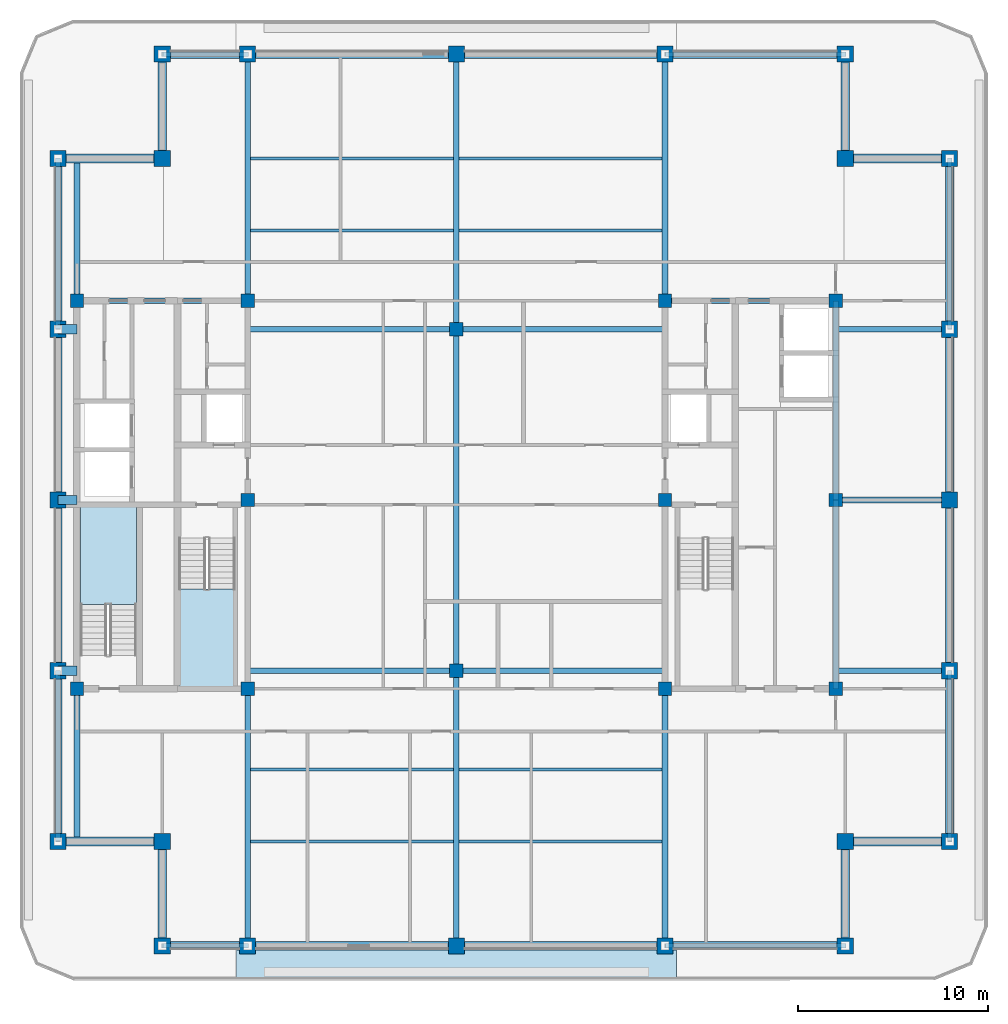
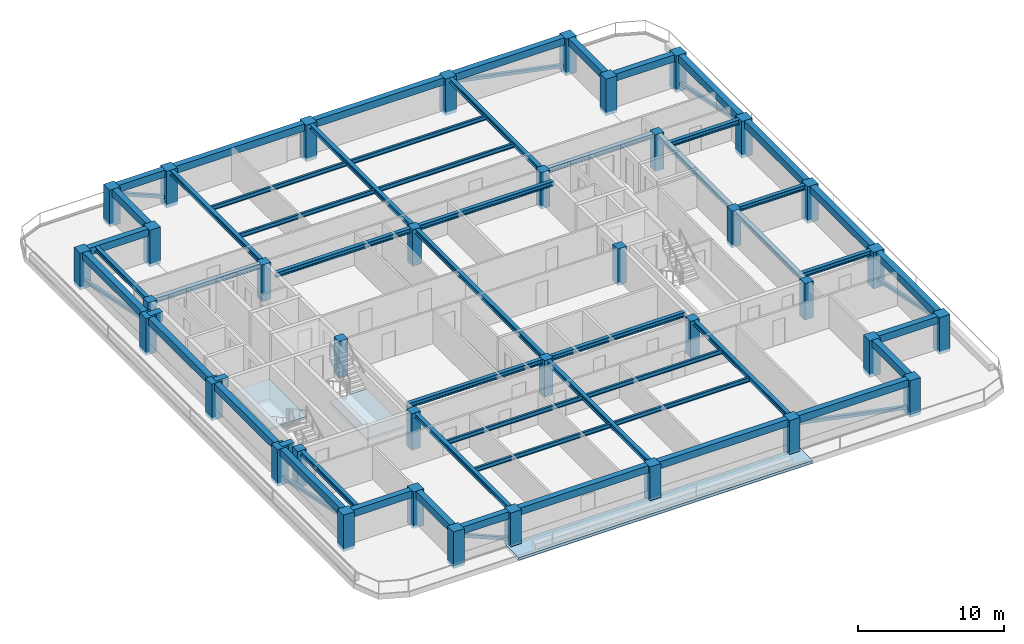
# One storey, part 1 of 10: 55 beams, 37 columns, 8 members, 3 slabs, 2 elements without a shape of their own.
"""IFC4 building model written with IfcOpenShell, lengths in metres."""

from ifc_helpers import new_model, si_unit, direction, frame, origin, origin_2d, place, context, subcontext, project, spatial, polyline, rectangle, hollow_rectangle, i_section, outline, extrude, material, layer, layer_set, material_profile, profile_set, type_object, element, aggregate, save


model = new_model("IFC4")

# Units and contexts
model_context = context("Model", 3, precision=1e-05, world=origin(), true_north=direction((0.0, 1.0)))
body_context = subcontext(model_context, "Body", "Model", "MODEL_VIEW")
ifc_project = project(units=[si_unit("LENGTHUNIT", "METRE"), si_unit("AREAUNIT", "SQUARE_METRE"), si_unit("VOLUMEUNIT", "CUBIC_METRE"), si_unit("PLANEANGLEUNIT", "RADIAN"), si_unit("MASSUNIT", "GRAM", prefix="KILO")], contexts=[model_context])

# Site, building, storey
site_placement = place(None, origin())
site = spatial("IfcSite", under=ifc_project, at=site_placement, CompositionType="ELEMENT")
building_placement = place(site_placement, origin())
building = spatial("IfcBuilding", under=site, at=building_placement, Name="Zulmaris Gate Convention Tower", CompositionType="ELEMENT")
storey_placement = place(building_placement, frame((0.0, 0.0, 246.199951171875)))
storey = spatial("IfcBuildingStorey", under=building, at=storey_placement, Name="L65", CompositionType="ELEMENT", Elevation=246.199951171875)

# Columns
ifc_material_1 = material(Name="Concrete C50/60", Category="concrete")
ifc_material_profile_1 = material_profile(ifc_material_1, rectangle(XDim=0.699951171875, YDim=0.699951171875, at=origin_2d()), Name="RC COL 700x700")
ifc_profile_set_1 = profile_set([ifc_material_profile_1], Name="Concrete C50/60")
column_type_1 = type_object("IfcColumnType", Name="COL-RC700", PredefinedType="COLUMN", material=ifc_profile_set_1)
for number, where, z_axis, x_axis, name in (
    (1, (-20.0, -9.949951171875, -0.25), (0.0, 0.0, 1.0), (1.0, 0.0, 0.0), "L65 Column IN--20.00_-9.95"),
    (2, (-20.0, 10.5, -0.25), (0.0, 0.0, 1.0), (1.0, 0.0, 0.0), "L65 Column IN--20.00_+10.50"),
    (3, (-11.0, -9.949951171875, -0.25), (0.0, 0.0, 1.0), (1.0, 0.0, 0.0), "L65 Column IN--11.00_-9.95"),
    (4, (-11.0, 0.0, -0.25), (0.0, 0.0, 1.0), (1.0, 0.0, 0.0), "L65 Column IN--11.00_+0.00"),
    (5, (-11.0, 10.5, -0.25), (0.0, 0.0, 1.0), (1.0, 0.0, 0.0), "L65 Column IN--11.00_+10.50"),
    (6, (11.0, -9.949951171875, -0.25), (0.0, 0.0, 1.0), (1.0, 0.0, 0.0), "L65 Column IN-+11.00_-9.95"),
    (7, (11.0, 0.0, -0.25), (0.0, 0.0, 1.0), (1.0, 0.0, 0.0), "L65 Column IN-+11.00_+0.00"),
    (8, (11.0, 10.5, -0.25), (0.0, 0.0, 1.0), (1.0, 0.0, 0.0), "L65 Column IN-+11.00_+10.50"),
    (9, (20.0, -9.949951171875, -0.25), (0.0, 0.0, 1.0), (1.0, 0.0, 0.0), "L65 Column IN-+20.00_-9.95"),
    (10, (20.0, 10.5, -0.25), (0.0, 0.0, 1.0), (1.0, 0.0, 0.0), "L65 Column IN-+20.00_+10.50"),
    (11, (0.0, -9.0, -0.25), (0.0, 0.0, 1.0), (1.0, 0.0, 0.0), "L65 Column IN-+0.00_-9.00"),
    (12, (0.0, 9.0, -0.25), (0.0, 0.0, 1.0), (1.0, 0.0, 0.0), "L65 Column IN-+0.00_+9.00"),
    (13, (20.0, 0.0, -0.25), (0.0, 0.0, 1.0), (1.0, 0.0, 0.0), "L65 Column IN-+20.00_+0.00"),
):
    element("IfcColumn", number, at=place(storey_placement, frame(where, z_axis=z_axis, x_axis=x_axis)), inside=storey, type_object=column_type_1, Name=name, PredefinedType="COLUMN", context=body_context, shape_type="SweptSolid", body=[
        extrude(rectangle(XDim=0.699951171875, YDim=0.699951171875, at=origin_2d()), origin(), (0.0, 0.0, 1.0), 3.054931640625),
    ])
ifc_material_2 = material(Name="Concrete C60/75", Category="concrete")
ifc_material_profile_2 = material_profile(ifc_material_2, rectangle(XDim=0.85009765625, YDim=0.85009765625, at=origin_2d()), Name="RC COL 850x850")
ifc_profile_set_2 = profile_set([ifc_material_profile_2], Name="Concrete C60/75")
column_type_2 = type_object("IfcColumnType", Name="COL-RC850", PredefinedType="COLUMN", material=ifc_profile_set_2)
for number, where, z_axis, x_axis, name in (
    (14, (-15.5, -23.5, -0.25), (0.0, 0.0, 1.0), (1.0, 0.0, 0.0), "L65 Column PT--15.50_-23.50"),
    (15, (-11.0, -23.5, -0.25), (0.0, 0.0, 1.0), (1.0, 0.0, 0.0), "L65 Column PT--11.00_-23.50"),
    (16, (0.0, -23.5, -0.25), (0.0, 0.0, 1.0), (1.0, 0.0, 0.0), "L65 Column PT-+0.00_-23.50"),
    (17, (11.0, -23.5, -0.25), (0.0, 0.0, 1.0), (1.0, 0.0, 0.0), "L65 Column PT-+11.00_-23.50"),
    (18, (20.5, -23.5, -0.25), (0.0, 0.0, 1.0), (1.0, 0.0, 0.0), "L65 Column PT-+20.50_-23.50"),
    (19, (-15.5, 23.5, -0.25), (0.0, 0.0, 1.0), (1.0, 0.0, 0.0), "L65 Column PT--15.50_+23.50"),
    (20, (-11.0, 23.5, -0.25), (0.0, 0.0, 1.0), (1.0, 0.0, 0.0), "L65 Column PT--11.00_+23.50"),
    (21, (0.0, 23.5, -0.25), (0.0, 0.0, 1.0), (1.0, 0.0, 0.0), "L65 Column PT-+0.00_+23.50"),
    (22, (11.0, 23.5, -0.25), (0.0, 0.0, 1.0), (1.0, 0.0, 0.0), "L65 Column PT-+11.00_+23.50"),
    (23, (20.5, 23.5, -0.25), (0.0, 0.0, 1.0), (1.0, 0.0, 0.0), "L65 Column PT-+20.50_+23.50"),
    (24, (-21.0, -18.0, -0.25), (0.0, 0.0, 1.0), (1.0, 0.0, 0.0), "L65 Column PT--21.00_-18.00"),
    (25, (-21.0, -9.0, -0.25), (0.0, 0.0, 1.0), (1.0, 0.0, 0.0), "L65 Column PT--21.00_-9.00"),
    (26, (-21.0, 0.0, -0.25), (0.0, 0.0, 1.0), (1.0, 0.0, 0.0), "L65 Column PT--21.00_+0.00"),
    (27, (-21.0, 9.0, -0.25), (0.0, 0.0, 1.0), (1.0, 0.0, 0.0), "L65 Column PT--21.00_+9.00"),
    (28, (-21.0, 18.0, -0.25), (0.0, 0.0, 1.0), (1.0, 0.0, 0.0), "L65 Column PT--21.00_+18.00"),
    (29, (26.0, -18.0, -0.25), (0.0, 0.0, 1.0), (1.0, 0.0, 0.0), "L65 Column PT-+26.00_-18.00"),
    (30, (26.0, -9.0, -0.25), (0.0, 0.0, 1.0), (1.0, 0.0, 0.0), "L65 Column PT-+26.00_-9.00"),
    (31, (26.0, 0.0, -0.25), (0.0, 0.0, 1.0), (1.0, 0.0, 0.0), "L65 Column PT-+26.00_+0.00"),
    (32, (26.0, 9.0, -0.25), (0.0, 0.0, 1.0), (1.0, 0.0, 0.0), "L65 Column PT-+26.00_+9.00"),
    (33, (26.0, 18.0, -0.25), (0.0, 0.0, 1.0), (1.0, 0.0, 0.0), "L65 Column PT-+26.00_+18.00"),
    (34, (-15.5, -18.0, -0.25), (0.0, 0.0, 1.0), (1.0, 0.0, 0.0), "L65 Column PT--15.50_-18.00"),
    (35, (20.5, -18.0, -0.25), (0.0, 0.0, 1.0), (1.0, 0.0, 0.0), "L65 Column PT-+20.50_-18.00"),
    (36, (20.5, 18.0, -0.25), (0.0, 0.0, 1.0), (1.0, 0.0, 0.0), "L65 Column PT-+20.50_+18.00"),
    (37, (-15.5, 18.0, -0.25), (0.0, 0.0, 1.0), (1.0, 0.0, 0.0), "L65 Column PT--15.50_+18.00"),
):
    element("IfcColumn", number, at=place(storey_placement, frame(where, z_axis=z_axis, x_axis=x_axis)), inside=storey, type_object=column_type_2, Name=name, PredefinedType="COLUMN", context=body_context, shape_type="SweptSolid", body=[
        extrude(rectangle(XDim=0.85009765625, YDim=0.85009765625, at=origin_2d()), origin(), (0.0, 0.0, 1.0), 3.054931640625),
    ])

# Beams
ifc_material_3 = material(Name="Steel S355", Category="steel")
ifc_material_profile_3 = material_profile(ifc_material_3, i_section(OverallWidth=0.300048828125, OverallDepth=0.39990234375, WebThickness=0.013427734375, FlangeThickness=0.02392578125, FilletRadius=0.027099609375, at=origin_2d()), Name="HEB 400")
ifc_profile_set_3 = profile_set([ifc_material_profile_3], Name="Steel S355")
beam_type_1 = type_object("IfcBeamType", Name="BM-HEB400", PredefinedType="BEAM", material=ifc_profile_set_3)
for number, where, z_axis, x_axis, name in (
    (38, (-11.0, -9.0, 2.60302734375), (1.0, 0.0, 0.0), (0.0, 1.0, 0.0), "L65 Beam BM-L65-G01"),
    (39, (0.0, -9.0, 2.60302734375), (1.0, 0.0, 0.0), (0.0, 1.0, 0.0), "L65 Beam BM-L65-G02"),
    (40, (-11.0, 9.0, 2.60302734375), (1.0, 0.0, 0.0), (0.0, 1.0, 0.0), "L65 Beam BM-L65-G03"),
    (41, (0.0, 9.0, 2.60302734375), (1.0, 0.0, 0.0), (0.0, 1.0, 0.0), "L65 Beam BM-L65-G04"),
):
    element("IfcBeam", number, at=place(storey_placement, frame(where, z_axis=z_axis, x_axis=x_axis)), inside=storey, type_object=beam_type_1, Name=name, PredefinedType="BEAM", context=body_context, shape_type="SweptSolid", body=[
        extrude(i_section(OverallWidth=0.300048828125, OverallDepth=0.39990234375, WebThickness=0.013427734375, FlangeThickness=0.02392578125, FilletRadius=0.027099609375, at=origin_2d()), origin(), (0.0, 0.0, 1.0), 11.0),
    ])
beam_1_placement = place(storey_placement, frame((0.0, -23.5, 2.60302734375), z_axis=(0.0, 1.0, 0.0), x_axis=(-1.0, 0.0, 0.0)))
element("IfcBeam", 42, at=beam_1_placement, inside=storey, type_object=beam_type_1, Name="L65 Beam BM-L65-G05", PredefinedType="BEAM", context=body_context, shape_type="SweptSolid", body=[
    extrude(i_section(OverallWidth=0.300048828125, OverallDepth=0.39990234375, WebThickness=0.013427734375, FlangeThickness=0.02392578125, FilletRadius=0.027099609375, at=origin_2d()), origin(), (0.0, 0.0, 1.0), 14.5),
])
beam_2_placement = place(storey_placement, frame((0.0, -9.0, 2.60302734375), z_axis=(0.0, 1.0, 0.0), x_axis=(-1.0, 0.0, 0.0)))
element("IfcBeam", 43, at=beam_2_placement, inside=storey, type_object=beam_type_1, Name="L65 Beam BM-L65-G06", PredefinedType="BEAM", context=body_context, shape_type="SweptSolid", body=[
    extrude(i_section(OverallWidth=0.300048828125, OverallDepth=0.39990234375, WebThickness=0.013427734375, FlangeThickness=0.02392578125, FilletRadius=0.027099609375, at=origin_2d()), origin(), (0.0, 0.0, 1.0), 18.0),
])
beam_3_placement = place(storey_placement, frame((0.0, 9.0, 2.60302734375), z_axis=(0.0, 1.0, 0.0), x_axis=(-1.0, 0.0, 0.0)))
element("IfcBeam", 44, at=beam_3_placement, inside=storey, type_object=beam_type_1, Name="L65 Beam BM-L65-G07", PredefinedType="BEAM", context=body_context, shape_type="SweptSolid", body=[
    extrude(i_section(OverallWidth=0.300048828125, OverallDepth=0.39990234375, WebThickness=0.013427734375, FlangeThickness=0.02392578125, FilletRadius=0.027099609375, at=origin_2d()), origin(), (0.0, 0.0, 1.0), 14.5),
])
beam_4_placement = place(storey_placement, frame((-11.0, -23.5, 2.60302734375), z_axis=(0.0, 1.0, 0.0), x_axis=(-1.0, 0.0, 0.0)))
element("IfcBeam", 45, at=beam_4_placement, inside=storey, type_object=beam_type_1, Name="L65 Beam BM-L65-G08", PredefinedType="BEAM", context=body_context, shape_type="SweptSolid", body=[
    extrude(i_section(OverallWidth=0.300048828125, OverallDepth=0.39990234375, WebThickness=0.013427734375, FlangeThickness=0.02392578125, FilletRadius=0.027099609375, at=origin_2d()), origin(), (0.0, 0.0, 1.0), 13.550048828125),
])
beam_5_placement = place(storey_placement, frame((-11.0, 10.5, 2.60302734375), z_axis=(0.0, 1.0, 0.0), x_axis=(-1.0, 0.0, 0.0)))
element("IfcBeam", 46, at=beam_5_placement, inside=storey, type_object=beam_type_1, Name="L65 Beam BM-L65-G09", PredefinedType="BEAM", context=body_context, shape_type="SweptSolid", body=[
    extrude(i_section(OverallWidth=0.300048828125, OverallDepth=0.39990234375, WebThickness=0.013427734375, FlangeThickness=0.02392578125, FilletRadius=0.027099609375, at=origin_2d()), origin(), (0.0, 0.0, 1.0), 13.0),
])
beam_6_placement = place(storey_placement, frame((11.0, -23.5, 2.60302734375), z_axis=(0.0, 1.0, 0.0), x_axis=(-1.0, 0.0, 0.0)))
element("IfcBeam", 47, at=beam_6_placement, inside=storey, type_object=beam_type_1, Name="L65 Beam BM-L65-G10", PredefinedType="BEAM", context=body_context, shape_type="SweptSolid", body=[
    extrude(i_section(OverallWidth=0.300048828125, OverallDepth=0.39990234375, WebThickness=0.013427734375, FlangeThickness=0.02392578125, FilletRadius=0.027099609375, at=origin_2d()), origin(), (0.0, 0.0, 1.0), 13.550048828125),
])
beam_7_placement = place(storey_placement, frame((11.0, 10.5, 2.60302734375), z_axis=(0.0, 1.0, 0.0), x_axis=(-1.0, 0.0, 0.0)))
element("IfcBeam", 48, at=beam_7_placement, inside=storey, type_object=beam_type_1, Name="L65 Beam BM-L65-G11", PredefinedType="BEAM", context=body_context, shape_type="SweptSolid", body=[
    extrude(i_section(OverallWidth=0.300048828125, OverallDepth=0.39990234375, WebThickness=0.013427734375, FlangeThickness=0.02392578125, FilletRadius=0.027099609375, at=origin_2d()), origin(), (0.0, 0.0, 1.0), 13.0),
])
beam_8_placement = place(storey_placement, frame((-20.0, -18.0, 2.60302734375), z_axis=(0.0, 1.0, 0.0), x_axis=(-1.0, 0.0, 0.0)))
element("IfcBeam", 49, at=beam_8_placement, inside=storey, type_object=beam_type_1, Name="L65 Beam BM-L65-G12", PredefinedType="BEAM", context=body_context, shape_type="SweptSolid", body=[
    extrude(i_section(OverallWidth=0.300048828125, OverallDepth=0.39990234375, WebThickness=0.013427734375, FlangeThickness=0.02392578125, FilletRadius=0.027099609375, at=origin_2d()), origin(), (0.0, 0.0, 1.0), 8.050048828125),
])
beam_9_placement = place(storey_placement, frame((-20.0, 10.5, 2.60302734375), z_axis=(0.0, 1.0, 0.0), x_axis=(-1.0, 0.0, 0.0)))
element("IfcBeam", 50, at=beam_9_placement, inside=storey, type_object=beam_type_1, Name="L65 Beam BM-L65-G13", PredefinedType="BEAM", context=body_context, shape_type="SweptSolid", body=[
    extrude(i_section(OverallWidth=0.300048828125, OverallDepth=0.39990234375, WebThickness=0.013427734375, FlangeThickness=0.02392578125, FilletRadius=0.027099609375, at=origin_2d()), origin(), (0.0, 0.0, 1.0), 7.5),
])
for number, where, z_axis, x_axis, name in (
    (51, (20.0, -9.0, 2.60302734375), (1.0, 0.0, 0.0), (0.0, 1.0, 0.0), "L65 Beam BM-L65-G19"),
    (52, (20.0, 0.0, 2.60302734375), (1.0, 0.0, 0.0), (0.0, 1.0, 0.0), "L65 Beam BM-L65-G20"),
    (53, (20.0, 9.0, 2.60302734375), (1.0, 0.0, 0.0), (0.0, 1.0, 0.0), "L65 Beam BM-L65-G21"),
):
    element("IfcBeam", number, at=place(storey_placement, frame(where, z_axis=z_axis, x_axis=x_axis)), inside=storey, type_object=beam_type_1, Name=name, PredefinedType="BEAM", context=body_context, shape_type="SweptSolid", body=[
        extrude(i_section(OverallWidth=0.300048828125, OverallDepth=0.39990234375, WebThickness=0.013427734375, FlangeThickness=0.02392578125, FilletRadius=0.027099609375, at=origin_2d()), origin(), (0.0, 0.0, 1.0), 6.0),
    ])
for number, where, z_axis, x_axis, name in (
    (54, (-20.0, 10.5, 2.60302734375), (1.0, 0.0, 0.0), (0.0, 1.0, 0.0), "L65 Beam BM-L65-G23"),
    (55, (11.0, 10.5, 2.60302734375), (1.0, 0.0, 0.0), (0.0, 1.0, 0.0), "L65 Beam BM-L65-G25"),
):
    element("IfcBeam", number, at=place(storey_placement, frame(where, z_axis=z_axis, x_axis=x_axis)), inside=storey, type_object=beam_type_1, Name=name, PredefinedType="BEAM", context=body_context, shape_type="SweptSolid", body=[
        extrude(i_section(OverallWidth=0.300048828125, OverallDepth=0.39990234375, WebThickness=0.013427734375, FlangeThickness=0.02392578125, FilletRadius=0.027099609375, at=origin_2d()), origin(), (0.0, 0.0, 1.0), 9.0),
    ])
beam_10_placement = place(storey_placement, frame((20.0, -9.949951171875, 2.60302734375), z_axis=(0.0, 1.0, 0.0), x_axis=(-1.0, 0.0, 0.0)))
element("IfcBeam", 56, at=beam_10_placement, inside=storey, type_object=beam_type_1, Name="L65 Beam BM-L65-G28", PredefinedType="BEAM", context=body_context, shape_type="SweptSolid", body=[
    extrude(i_section(OverallWidth=0.300048828125, OverallDepth=0.39990234375, WebThickness=0.013427734375, FlangeThickness=0.02392578125, FilletRadius=0.027099609375, at=origin_2d()), origin(), (0.0, 0.0, 1.0), 9.949951171875),
])
beam_11_placement = place(storey_placement, frame((20.0, 0.0, 2.60302734375), z_axis=(0.0, 1.0, 0.0), x_axis=(-1.0, 0.0, 0.0)))
element("IfcBeam", 57, at=beam_11_placement, inside=storey, type_object=beam_type_1, Name="L65 Beam BM-L65-G29", PredefinedType="BEAM", context=body_context, shape_type="SweptSolid", body=[
    extrude(i_section(OverallWidth=0.300048828125, OverallDepth=0.39990234375, WebThickness=0.013427734375, FlangeThickness=0.02392578125, FilletRadius=0.027099609375, at=origin_2d()), origin(), (0.0, 0.0, 1.0), 10.5),
])
ifc_material_profile_4 = material_profile(ifc_material_1, rectangle(XDim=0.5, YDim=0.800048828125, at=origin_2d()), Name="RC BEAM 500x800")
ifc_profile_set_4 = profile_set([ifc_material_profile_4], Name="Concrete C50/60")
beam_type_2 = type_object("IfcBeamType", Name="BM-RC500x800", PredefinedType="BEAM", material=ifc_profile_set_4)
for number, where, z_axis, x_axis, name in (
    (58, (-21.0, -9.0, 2.405029296875), (1.0, 0.0, 0.0), (0.0, 1.0, 0.0), "L65 Beam BM-L65-G16"),
    (59, (-21.0, 0.0, 2.405029296875), (1.0, 0.0, 0.0), (0.0, 1.0, 0.0), "L65 Beam BM-L65-G17"),
    (60, (-21.0, 9.0, 2.405029296875), (1.0, 0.0, 0.0), (0.0, 1.0, 0.0), "L65 Beam BM-L65-G18"),
):
    element("IfcBeam", number, at=place(storey_placement, frame(where, z_axis=z_axis, x_axis=x_axis)), inside=storey, type_object=beam_type_2, Name=name, PredefinedType="BEAM", context=body_context, shape_type="SweptSolid", body=[
        extrude(rectangle(XDim=0.5, YDim=0.800048828125, at=origin_2d()), origin(), (0.0, 0.0, 1.0), 1.0),
    ])
ifc_material_4 = material(Name="Precast concrete C50/60", Category="concrete")
ifc_material_profile_5 = material_profile(ifc_material_4, rectangle(XDim=0.449951171875, YDim=0.60009765625, at=origin_2d()), Name="RC SPANDREL 450x600")
ifc_profile_set_5 = profile_set([ifc_material_profile_5], Name="Precast concrete C50/60")
beam_type_3 = type_object("IfcBeamType", Name="BM-SP450x600", PredefinedType="SPANDREL", material=ifc_profile_set_5)
beam_12_placement = place(storey_placement, frame((-15.5, -23.5, 2.5048828125), z_axis=(1.0, 0.0, 0.0), x_axis=(0.0, 1.0, 0.0)))
element("IfcBeam", 61, at=beam_12_placement, inside=storey, type_object=beam_type_3, Name="L65 Spandrel SP-L65-01", PredefinedType="SPANDREL", context=body_context, shape_type="SweptSolid", body=[
    extrude(rectangle(XDim=0.449951171875, YDim=0.60009765625, at=origin_2d()), origin(), (0.0, 0.0, 1.0), 4.5),
])
for number, where, z_axis, x_axis, name in (
    (62, (-11.0, -23.5, 2.5048828125), (1.0, 0.0, 0.0), (0.0, 1.0, 0.0), "L65 Spandrel SP-L65-02"),
    (63, (0.0, -23.5, 2.5048828125), (1.0, 0.0, 0.0), (0.0, 1.0, 0.0), "L65 Spandrel SP-L65-03"),
):
    element("IfcBeam", number, at=place(storey_placement, frame(where, z_axis=z_axis, x_axis=x_axis)), inside=storey, type_object=beam_type_3, Name=name, PredefinedType="SPANDREL", context=body_context, shape_type="SweptSolid", body=[
        extrude(rectangle(XDim=0.449951171875, YDim=0.60009765625, at=origin_2d()), origin(), (0.0, 0.0, 1.0), 11.0),
    ])
beam_13_placement = place(storey_placement, frame((11.0, -23.5, 2.5048828125), z_axis=(1.0, 0.0, 0.0), x_axis=(0.0, 1.0, 0.0)))
element("IfcBeam", 64, at=beam_13_placement, inside=storey, type_object=beam_type_3, Name="L65 Spandrel SP-L65-04", PredefinedType="SPANDREL", context=body_context, shape_type="SweptSolid", body=[
    extrude(rectangle(XDim=0.449951171875, YDim=0.60009765625, at=origin_2d()), origin(), (0.0, 0.0, 1.0), 9.5),
])
for number, where, z_axis, x_axis, name in (
    (65, (20.5, -23.5, 2.5048828125), (0.0, 1.0, 0.0), (-1.0, 0.0, 0.0), "L65 Spandrel SP-L65-05"),
    (66, (20.5, -18.0, 2.5048828125), (1.0, 0.0, 0.0), (0.0, 1.0, 0.0), "L65 Spandrel SP-L65-06"),
):
    element("IfcBeam", number, at=place(storey_placement, frame(where, z_axis=z_axis, x_axis=x_axis)), inside=storey, type_object=beam_type_3, Name=name, PredefinedType="SPANDREL", context=body_context, shape_type="SweptSolid", body=[
        extrude(rectangle(XDim=0.449951171875, YDim=0.60009765625, at=origin_2d()), origin(), (0.0, 0.0, 1.0), 5.5),
    ])
for number, where, z_axis, x_axis, name in (
    (67, (26.0, -18.0, 2.5048828125), (0.0, 1.0, 0.0), (-1.0, 0.0, 0.0), "L65 Spandrel SP-L65-07"),
    (68, (26.0, -9.0, 2.5048828125), (0.0, 1.0, 0.0), (-1.0, 0.0, 0.0), "L65 Spandrel SP-L65-08"),
    (69, (26.0, 0.0, 2.5048828125), (0.0, 1.0, 0.0), (-1.0, 0.0, 0.0), "L65 Spandrel SP-L65-09"),
    (70, (26.0, 9.0, 2.5048828125), (0.0, 1.0, 0.0), (-1.0, 0.0, 0.0), "L65 Spandrel SP-L65-10"),
):
    element("IfcBeam", number, at=place(storey_placement, frame(where, z_axis=z_axis, x_axis=x_axis)), inside=storey, type_object=beam_type_3, Name=name, PredefinedType="SPANDREL", context=body_context, shape_type="SweptSolid", body=[
        extrude(rectangle(XDim=0.449951171875, YDim=0.60009765625, at=origin_2d()), origin(), (0.0, 0.0, 1.0), 9.0),
    ])
for number, where, z_axis, x_axis, name in (
    (71, (26.0, 18.0, 2.5048828125), (-1.0, 0.0, 0.0), (0.0, -1.0, 0.0), "L65 Spandrel SP-L65-11"),
    (72, (20.5, 18.0, 2.5048828125), (0.0, 1.0, 0.0), (-1.0, 0.0, 0.0), "L65 Spandrel SP-L65-12"),
):
    element("IfcBeam", number, at=place(storey_placement, frame(where, z_axis=z_axis, x_axis=x_axis)), inside=storey, type_object=beam_type_3, Name=name, PredefinedType="SPANDREL", context=body_context, shape_type="SweptSolid", body=[
        extrude(rectangle(XDim=0.449951171875, YDim=0.60009765625, at=origin_2d()), origin(), (0.0, 0.0, 1.0), 5.5),
    ])
beam_14_placement = place(storey_placement, frame((20.5, 23.5, 2.5048828125), z_axis=(-1.0, 0.0, 0.0), x_axis=(0.0, -1.0, 0.0)))
element("IfcBeam", 73, at=beam_14_placement, inside=storey, type_object=beam_type_3, Name="L65 Spandrel SP-L65-13", PredefinedType="SPANDREL", context=body_context, shape_type="SweptSolid", body=[
    extrude(rectangle(XDim=0.449951171875, YDim=0.60009765625, at=origin_2d()), origin(), (0.0, 0.0, 1.0), 9.5),
])
for number, where, z_axis, x_axis, name in (
    (74, (11.0, 23.5, 2.5048828125), (-1.0, 0.0, 0.0), (0.0, -1.0, 0.0), "L65 Spandrel SP-L65-14"),
    (75, (0.0, 23.5, 2.5048828125), (-1.0, 0.0, 0.0), (0.0, -1.0, 0.0), "L65 Spandrel SP-L65-15"),
):
    element("IfcBeam", number, at=place(storey_placement, frame(where, z_axis=z_axis, x_axis=x_axis)), inside=storey, type_object=beam_type_3, Name=name, PredefinedType="SPANDREL", context=body_context, shape_type="SweptSolid", body=[
        extrude(rectangle(XDim=0.449951171875, YDim=0.60009765625, at=origin_2d()), origin(), (0.0, 0.0, 1.0), 11.0),
    ])
beam_15_placement = place(storey_placement, frame((-11.0, 23.5, 2.5048828125), z_axis=(-1.0, 0.0, 0.0), x_axis=(0.0, -1.0, 0.0)))
element("IfcBeam", 76, at=beam_15_placement, inside=storey, type_object=beam_type_3, Name="L65 Spandrel SP-L65-16", PredefinedType="SPANDREL", context=body_context, shape_type="SweptSolid", body=[
    extrude(rectangle(XDim=0.449951171875, YDim=0.60009765625, at=origin_2d()), origin(), (0.0, 0.0, 1.0), 4.5),
])
for number, where, z_axis, x_axis, name in (
    (77, (-15.5, 23.5, 2.5048828125), (0.0, -1.0, 0.0), (1.0, 0.0, 0.0), "L65 Spandrel SP-L65-17"),
    (78, (-15.5, 18.0, 2.5048828125), (-1.0, 0.0, 0.0), (0.0, -1.0, 0.0), "L65 Spandrel SP-L65-18"),
):
    element("IfcBeam", number, at=place(storey_placement, frame(where, z_axis=z_axis, x_axis=x_axis)), inside=storey, type_object=beam_type_3, Name=name, PredefinedType="SPANDREL", context=body_context, shape_type="SweptSolid", body=[
        extrude(rectangle(XDim=0.449951171875, YDim=0.60009765625, at=origin_2d()), origin(), (0.0, 0.0, 1.0), 5.5),
    ])
for number, where, z_axis, x_axis, name in (
    (79, (-21.0, 18.0, 2.5048828125), (0.0, -1.0, 0.0), (1.0, 0.0, 0.0), "L65 Spandrel SP-L65-19"),
    (80, (-21.0, 9.0, 2.5048828125), (0.0, -1.0, 0.0), (1.0, 0.0, 0.0), "L65 Spandrel SP-L65-20"),
    (81, (-21.0, 0.0, 2.5048828125), (0.0, -1.0, 0.0), (1.0, 0.0, 0.0), "L65 Spandrel SP-L65-21"),
    (82, (-21.0, -9.0, 2.5048828125), (0.0, -1.0, 0.0), (1.0, 0.0, 0.0), "L65 Spandrel SP-L65-22"),
):
    element("IfcBeam", number, at=place(storey_placement, frame(where, z_axis=z_axis, x_axis=x_axis)), inside=storey, type_object=beam_type_3, Name=name, PredefinedType="SPANDREL", context=body_context, shape_type="SweptSolid", body=[
        extrude(rectangle(XDim=0.449951171875, YDim=0.60009765625, at=origin_2d()), origin(), (0.0, 0.0, 1.0), 9.0),
    ])
for number, where, z_axis, x_axis, name in (
    (83, (-21.0, -18.0, 2.5048828125), (1.0, 0.0, 0.0), (0.0, 1.0, 0.0), "L65 Spandrel SP-L65-23"),
    (84, (-15.5, -18.0, 2.5048828125), (0.0, -1.0, 0.0), (1.0, 0.0, 0.0), "L65 Spandrel SP-L65-24"),
):
    element("IfcBeam", number, at=place(storey_placement, frame(where, z_axis=z_axis, x_axis=x_axis)), inside=storey, type_object=beam_type_3, Name=name, PredefinedType="SPANDREL", context=body_context, shape_type="SweptSolid", body=[
        extrude(rectangle(XDim=0.449951171875, YDim=0.60009765625, at=origin_2d()), origin(), (0.0, 0.0, 1.0), 5.5),
    ])

# Members
ifc_material_profile_6 = material_profile(ifc_material_3, hollow_rectangle(XDim=0.25, YDim=0.25, WallThickness=0.012451171875, at=origin_2d()), Name="SHS 250x250x12.5")
ifc_profile_set_6 = profile_set([ifc_material_profile_6], Name="Steel S355")
member_type = type_object("IfcMemberType", Name="BR-SHS250", PredefinedType="BRACE", material=ifc_profile_set_6)
for number, where, z_axis, x_axis, name in (
    (85, (-21.0, -9.0, 0.300048828125), (0.0, -0.978762510891, 0.204997432362), (1.0, 0.0, 0.0), "L65 Perimeter Tube Diagonal SW-W"),
    (86, (-21.0, 18.0, 0.300048828125), (0.0, -0.978762510891, 0.204997432362), (1.0, 0.0, 0.0), "L65 Perimeter Tube Diagonal NW-W"),
    (87, (26.0, -9.0, 0.300048828125), (0.0, -0.978762510891, 0.204997432362), (1.0, 0.0, 0.0), "L65 Perimeter Tube Diagonal SE-E"),
    (88, (26.0, 18.0, 0.300048828125), (0.0, -0.978762510891, 0.204997432362), (1.0, 0.0, 0.0), "L65 Perimeter Tube Diagonal NE-E"),
):
    element("IfcMember", number, at=place(storey_placement, frame(where, z_axis=z_axis, x_axis=x_axis)), inside=storey, type_object=member_type, Name=name, PredefinedType="BRACE", context=body_context, shape_type="SweptSolid", body=[
        extrude(hollow_rectangle(XDim=0.25, YDim=0.25, WallThickness=0.012451171875, at=origin_2d()), origin(), (0.0, 0.0, 1.0), 9.1953125),
    ])
member_1_placement = place(storey_placement, frame((-11.0, -23.5, 0.300048828125), z_axis=(-0.922346867235, 0.0, 0.386362856007), x_axis=(0.0, -1.0, 0.0)))
element("IfcMember", 89, at=member_1_placement, inside=storey, type_object=member_type, Name="L65 Perimeter Tube Diagonal SW-S", PredefinedType="BRACE", context=body_context, shape_type="SweptSolid", body=[
    extrude(hollow_rectangle(XDim=0.25, YDim=0.25, WallThickness=0.012451171875, at=origin_2d()), origin(), (0.0, 0.0, 1.0), 4.87890625),
])
member_2_placement = place(storey_placement, frame((20.5, -23.5, 0.300048828125), z_axis=(-0.980877189664, 0.0, 0.194627692779), x_axis=(0.0, -1.0, 0.0)))
element("IfcMember", 90, at=member_2_placement, inside=storey, type_object=member_type, Name="L65 Perimeter Tube Diagonal SE-S", PredefinedType="BRACE", context=body_context, shape_type="SweptSolid", body=[
    extrude(hollow_rectangle(XDim=0.25, YDim=0.25, WallThickness=0.012451171875, at=origin_2d()), origin(), (0.0, 0.0, 1.0), 9.685302734375),
])
member_3_placement = place(storey_placement, frame((-11.0, 23.5, 0.300048828125), z_axis=(-0.922346867235, 0.0, 0.386362856007), x_axis=(0.0, -1.0, 0.0)))
element("IfcMember", 91, at=member_3_placement, inside=storey, type_object=member_type, Name="L65 Perimeter Tube Diagonal NW-N", PredefinedType="BRACE", context=body_context, shape_type="SweptSolid", body=[
    extrude(hollow_rectangle(XDim=0.25, YDim=0.25, WallThickness=0.012451171875, at=origin_2d()), origin(), (0.0, 0.0, 1.0), 4.87890625),
])
member_4_placement = place(storey_placement, frame((20.5, 23.5, 0.300048828125), z_axis=(-0.980877189664, 0.0, 0.194627692779), x_axis=(0.0, -1.0, 0.0)))
element("IfcMember", 92, at=member_4_placement, inside=storey, type_object=member_type, Name="L65 Perimeter Tube Diagonal NE-N", PredefinedType="BRACE", context=body_context, shape_type="SweptSolid", body=[
    extrude(hollow_rectangle(XDim=0.25, YDim=0.25, WallThickness=0.012451171875, at=origin_2d()), origin(), (0.0, 0.0, 1.0), 9.685302734375),
])

# Beams
ifc_material_profile_7 = material_profile(ifc_material_3, i_section(OverallWidth=0.169921875, OverallDepth=0.360107421875, WebThickness=0.008056640625, FlangeThickness=0.0126953125, FilletRadius=0.01806640625, at=origin_2d()), Name="IPE 360")
ifc_profile_set_7 = profile_set([ifc_material_profile_7], Name="Steel S355")
beam_type_4 = type_object("IfcBeamType", Name="JT-IPE360", PredefinedType="JOIST", material=ifc_profile_set_7)
for number, where, z_axis, x_axis, name in (
    (93, (-10.85009765625, -18.0, 2.623046875), (1.0, 0.0, 0.0), (0.0, 1.0, 0.0), "L65 Joist JT-L65-CW--18.0"),
    (94, (0.14990234375, -18.0, 2.623046875), (1.0, 0.0, 0.0), (0.0, 1.0, 0.0), "L65 Joist JT-L65-CE--18.0"),
    (95, (-10.85009765625, -14.199951171875, 2.623046875), (1.0, 0.0, 0.0), (0.0, 1.0, 0.0), "L65 Joist JT-L65-CW--14.2"),
    (96, (0.14990234375, -14.199951171875, 2.623046875), (1.0, 0.0, 0.0), (0.0, 1.0, 0.0), "L65 Joist JT-L65-CE--14.2"),
    (97, (-10.85009765625, 14.199951171875, 2.623046875), (1.0, 0.0, 0.0), (0.0, 1.0, 0.0), "L65 Joist JT-L65-CW-+14.2"),
    (98, (0.14990234375, 14.199951171875, 2.623046875), (1.0, 0.0, 0.0), (0.0, 1.0, 0.0), "L65 Joist JT-L65-CE-+14.2"),
    (99, (-10.85009765625, 18.0, 2.623046875), (1.0, 0.0, 0.0), (0.0, 1.0, 0.0), "L65 Joist JT-L65-CW-+18.0"),
    (100, (0.14990234375, 18.0, 2.623046875), (1.0, 0.0, 0.0), (0.0, 1.0, 0.0), "L65 Joist JT-L65-CE-+18.0"),
):
    element("IfcBeam", number, at=place(storey_placement, frame(where, z_axis=z_axis, x_axis=x_axis)), inside=storey, type_object=beam_type_4, Name=name, PredefinedType="JOIST", context=body_context, shape_type="SweptSolid", body=[
        extrude(i_section(OverallWidth=0.169921875, OverallDepth=0.360107421875, WebThickness=0.008056640625, FlangeThickness=0.0126953125, FilletRadius=0.01806640625, at=origin_2d()), origin(), (0.0, 0.0, 1.0), 10.7001953125),
    ])

# Slab
ifc_layer_1 = layer(ifc_material_4, 0.239990234375, Name="Precast concrete C50/60")
ifc_layer_set_1 = layer_set([ifc_layer_1], Name="Precast concrete C50/60")
slab_type_1 = type_object("IfcSlabType", Name="SL-BAL-240", PredefinedType="FLOOR", material=ifc_layer_set_1)
slab_1_placement = place(storey_placement, frame((0.0, 0.0, -0.25)))
element("IfcSlab", 101, at=slab_1_placement, inside=storey, type_object=slab_type_1, Name="L65 South Tree-Balcony Planter Slab", PredefinedType="FLOOR", context=body_context, shape_type="SweptSolid", body=[
    extrude(outline(polyline([(-11.597900390625, -25.300048828125), (-11.597900390625, -23.5), (11.597900390625, -23.5), (11.597900390625, -25.300048828125), (-11.597900390625, -25.300048828125)])), origin(), (0.0, 0.0, 1.0), 0.239990234375),
])

# Stair, slab
ifc_material_5 = material(Name="Concrete C45/55", Category="concrete")
stair_type = type_object("IfcStairType", Name="ST-CORE-DOGLEG", PredefinedType="HALF_TURN_STAIR", material=ifc_material_5)
stair_1_placement = place(storey_placement, origin())
stair_1 = element("IfcStair", 102, at=stair_1_placement, inside=storey, type_object=stair_type, Name="L65 Core Exit Stair ST-1", PredefinedType="HALF_TURN_STAIR")
ifc_layer_2 = layer(ifc_material_5, 0.199951171875, Name="Concrete C45/55")
ifc_layer_set_2 = layer_set([ifc_layer_2], Name="Concrete C45/55")
slab_type_2 = type_object("IfcSlabType", Name="SL-LND-200", PredefinedType="LANDING", material=ifc_layer_set_2)
slab_2_placement = place(storey_placement, frame((0.0, 0.0, 1.4150390625)))
slab_2 = element("IfcSlab", 103, at=slab_2_placement, type_object=slab_type_2, Name="ST-1 landing 1", PredefinedType="LANDING", context=body_context, shape_type="SweptSolid", body=[
    extrude(outline(polyline([(-14.6201171875, -4.699951171875), (-14.6201171875, -9.85009765625), (-11.659912109375, -9.85009765625), (-11.659912109375, -4.699951171875), (-14.6201171875, -4.699951171875)])), origin(), (0.0, 0.0, 1.0), 0.199951171875),
])
aggregate(stair_1, [slab_2])

stair_2_placement = place(storey_placement, origin())
stair_2 = element("IfcStair", 104, at=stair_2_placement, inside=storey, type_object=stair_type, Name="L65 Core Exit Stair ST-3", PredefinedType="HALF_TURN_STAIR")
slab_3_placement = place(storey_placement, frame((0.0, 0.0, 1.4150390625)))
slab_3 = element("IfcSlab", 105, at=slab_3_placement, type_object=slab_type_2, Name="ST-3 landing 1", PredefinedType="LANDING", context=body_context, shape_type="SweptSolid", body=[
    extrude(outline(polyline([(-16.860107421875, -5.5), (-16.860107421875, -0.35009765625), (-19.820068359375, -0.35009765625), (-19.820068359375, -5.5), (-16.860107421875, -5.5)])), origin(), (0.0, 0.0, 1.0), 0.199951171875),
])
aggregate(stair_2, [slab_3])

save(model, "model.ifc")
